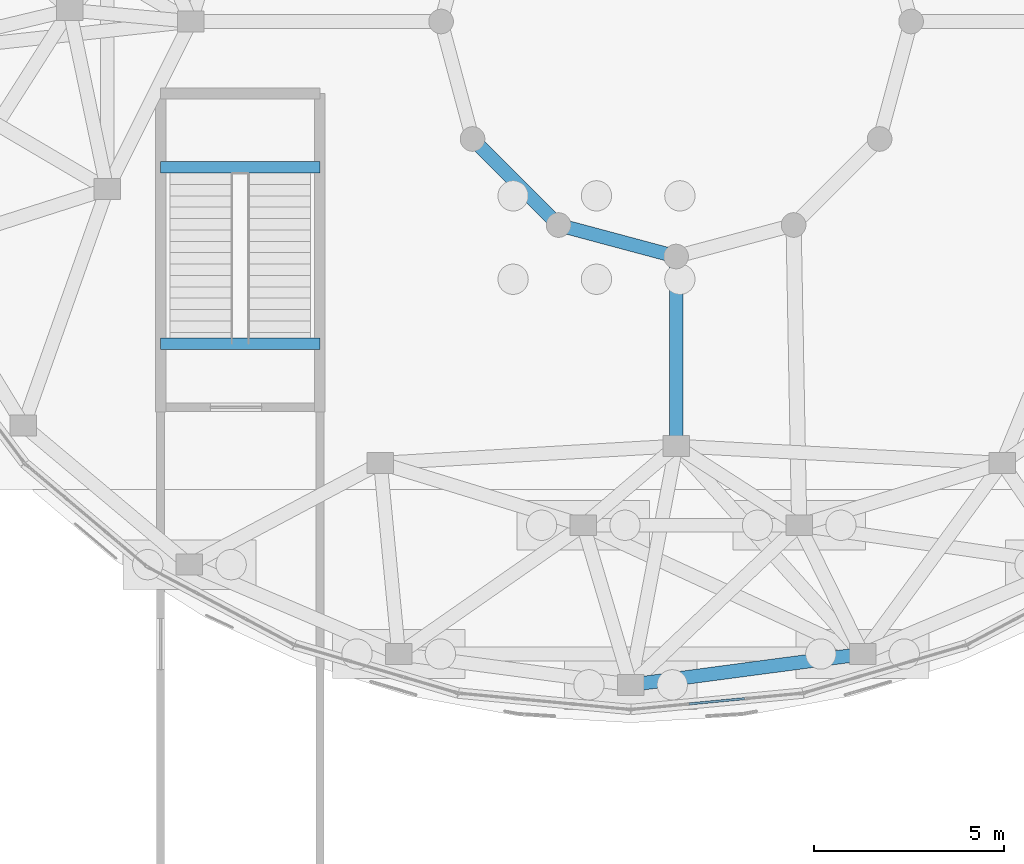
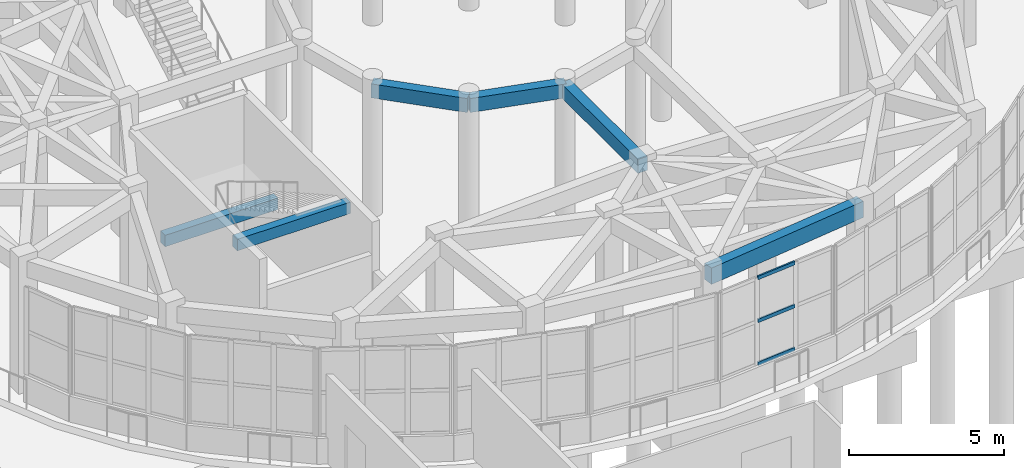
# One storey, part 10 of 96: 6 beams, 3 members, 1 element without a shape of its own.
"""IFC4 building model written with IfcOpenShell, lengths in metres."""

from ifc_helpers import new_model, si_unit, direction, frame, origin, origin_2d, place, context, subcontext, project, spatial, rectangle, hollow_rectangle, extrude, material, layer, layer_set, material_profile, profile_set, type_object, element, aggregate, save


model = new_model("IFC4")

# Units and contexts
model_context = context("Model", 3, precision=1e-05, world=origin(), true_north=direction((0.0, 1.0)))
body_context = subcontext(model_context, "Body", "Model", "MODEL_VIEW")
ifc_project = project(units=[si_unit("LENGTHUNIT", "METRE"), si_unit("AREAUNIT", "SQUARE_METRE"), si_unit("VOLUMEUNIT", "CUBIC_METRE"), si_unit("PLANEANGLEUNIT", "RADIAN"), si_unit("MASSUNIT", "GRAM", prefix="KILO")], contexts=[model_context])

# Site, building, storey
site_placement = place(None, origin())
site = spatial("IfcSite", under=ifc_project, at=site_placement, CompositionType="ELEMENT")
building_placement = place(site_placement, origin())
building = spatial("IfcBuilding", under=site, at=building_placement, Name="Pelvatis Terrace Science Centre", CompositionType="ELEMENT")
storey_placement = place(building_placement, origin())
storey = spatial("IfcBuildingStorey", under=building, at=storey_placement, Name="L00", CompositionType="ELEMENT", Elevation=0.0)

# Beams
ifc_material_1 = material(Name="Concrete C35/45", Category="concrete")
ifc_material_profile_1 = material_profile(ifc_material_1, rectangle(XDim=0.300048828125, YDim=0.449951171875, at=origin_2d()), Name="RC-BM 300x450")
ifc_profile_set_1 = profile_set([ifc_material_profile_1], Name="Concrete C35/45")
beam_type_1 = type_object("IfcBeamType", Name="BM-RC-300x450", PredefinedType="BEAM", material=ifc_profile_set_1)
for number, where, z_axis, x_axis, name in (
    (1, (33.199951171875, 26.60009765625, 4.919921875), (1.0, 0.0, 0.0), (0.0, 1.0, 0.0), "Stair ST-08 header beam (L00)"),
    (2, (33.199951171875, 31.25, 2.260009765625), (1.0, 0.0, 0.0), (0.0, 1.0, 0.0), "Stair ST-08 half-landing beam (L00)"),
):
    element("IfcBeam", number, at=place(storey_placement, frame(where, z_axis=z_axis, x_axis=x_axis)), inside=storey, type_object=beam_type_1, Name=name, PredefinedType="BEAM", context=body_context, shape_type="SweptSolid", body=[
        extrude(rectangle(XDim=0.300048828125, YDim=0.449951171875, at=origin_2d()), origin(), (0.0, 0.0, 1.0), 4.199951171875),
    ])
ifc_material_2 = material(Name="Concrete C35/45", Category="concrete")
ifc_material_profile_2 = material_profile(ifc_material_2, rectangle(XDim=0.360107421875, YDim=0.550048828125, at=origin_2d()), Name="RC-BM 360x550")
ifc_profile_set_2 = profile_set([ifc_material_profile_2], Name="Concrete C35/45")
beam_type_2 = type_object("IfcBeamType", Name="BM-RC-360x550", PredefinedType="BEAM", material=ifc_profile_set_2)
beam_1_placement = place(storey_placement, frame((41.4306640625, 32.0, 4.864990234375), z_axis=(0.707106781187, -0.707106781187, 0.0), x_axis=(0.707106781187, 0.707106781187, 0.0)))
element("IfcBeam", 3, at=beam_1_placement, inside=storey, type_object=beam_type_2, Name="Beam BM-L00-2230", PredefinedType="BEAM", context=body_context, shape_type="SweptSolid", body=[
    extrude(rectangle(XDim=0.360107421875, YDim=0.550048828125, at=origin_2d()), origin(), (0.0, 0.0, 1.0), 3.209228515625),
])
beam_2_placement = place(storey_placement, frame((43.699951171875, 29.730712890625, 4.864990234375), z_axis=(0.965914773555, -0.258860290944, 0.0), x_axis=(0.258860290944, 0.965914773555, 0.0)))
element("IfcBeam", 4, at=beam_2_placement, inside=storey, type_object=beam_type_2, Name="Beam BM-L00-2231", PredefinedType="BEAM", context=body_context, shape_type="SweptSolid", body=[
    extrude(rectangle(XDim=0.360107421875, YDim=0.550048828125, at=origin_2d()), origin(), (0.0, 0.0, 1.0), 3.20947265625),
])
beam_3_placement = place(storey_placement, frame((46.800048828125, 28.89990234375, 4.864990234375), z_axis=(0.0, -1.0, 0.0), x_axis=(1.0, 0.0, 0.0)))
element("IfcBeam", 5, at=beam_3_placement, inside=storey, type_object=beam_type_2, Name="Beam BM-L00-2233", PredefinedType="BEAM", context=body_context, shape_type="SweptSolid", body=[
    extrude(rectangle(XDim=0.360107421875, YDim=0.550048828125, at=origin_2d()), origin(), (0.0, 0.0, 1.0), 5.0),
])

# Curtain wall, members
ifc_material_3 = material(Name="Bronze-anodised aluminium and laminated glass", Category="aluminium")
ifc_layer = layer(ifc_material_3, 0.179931640625)
ifc_layer_set = layer_set([ifc_layer], Name="Bronze-anodised aluminium and laminated glass")
curtain_wall_type = type_object("IfcCurtainWallType", Name="CW-RIBBON-A", PredefinedType="NOTDEFINED", material=ifc_layer_set)
curtain_wall_placement = place(storey_placement, origin())
curtain_wall = element("IfcCurtainWall", 6, at=curtain_wall_placement, inside=storey, type_object=curtain_wall_type, Name="Ribbon curtain wall CW-015 (L00)", PredefinedType="NOTDEFINED")
ifc_material_4 = material(Name="Bronze-anodised aluminium 6063-T6", Category="aluminium")
ifc_material_profile_3 = material_profile(ifc_material_4, hollow_rectangle(XDim=0.06005859375, YDim=0.139892578125, WallThickness=0.00390625, at=origin_2d()), Name="ALU-TRN 60x140")
ifc_profile_set_3 = profile_set([ifc_material_profile_3], Name="Bronze-anodised aluminium 6063-T6")
member_type = type_object("IfcMemberType", Name="CWT-60x140", PredefinedType="USERDEFINED", material=ifc_profile_set_3)
member_1_placement = place(storey_placement, frame((47.146728515625, 17.096923828125, 1.050048828125), z_axis=(0.995501468141, 0.094746118282, 0.0), x_axis=(-0.094746118282, 0.995501468141, 0.0)))
member_1 = element("IfcMember", 7, at=member_1_placement, type_object=member_type, Name="CW-015 transom 2.1", ObjectType="TRANSOM", PredefinedType="USERDEFINED", context=body_context, shape_type="SweptSolid", body=[
    extrude(hollow_rectangle(XDim=0.06005859375, YDim=0.139892578125, WallThickness=0.00390625, at=origin_2d()), origin(), (0.0, 0.0, 1.0), 1.463623046875),
])
member_2_placement = place(storey_placement, frame((47.146728515625, 17.096923828125, 2.739990234375), z_axis=(0.995501468141, 0.094746118282, 0.0), x_axis=(-0.094746118282, 0.995501468141, 0.0)))
member_2 = element("IfcMember", 8, at=member_2_placement, type_object=member_type, Name="CW-015 transom 2.2", ObjectType="TRANSOM", PredefinedType="USERDEFINED", context=body_context, shape_type="SweptSolid", body=[
    extrude(hollow_rectangle(XDim=0.06005859375, YDim=0.139892578125, WallThickness=0.00390625, at=origin_2d()), origin(), (0.0, 0.0, 1.0), 1.463623046875),
])
member_3_placement = place(storey_placement, frame((47.146728515625, 17.096923828125, 4.429931640625), z_axis=(0.995501468141, 0.094746118282, 0.0), x_axis=(-0.094746118282, 0.995501468141, 0.0)))
member_3 = element("IfcMember", 9, at=member_3_placement, type_object=member_type, Name="CW-015 transom 2.3", ObjectType="TRANSOM", PredefinedType="USERDEFINED", context=body_context, shape_type="SweptSolid", body=[
    extrude(hollow_rectangle(XDim=0.06005859375, YDim=0.139892578125, WallThickness=0.00390625, at=origin_2d()), origin(), (0.0, 0.0, 1.0), 1.463623046875),
])
aggregate(curtain_wall, [member_1, member_2, member_3])

# Beam
ifc_material_5 = material(Name="Concrete C35/45", Category="concrete")
ifc_material_profile_4 = material_profile(ifc_material_5, rectangle(XDim=0.360107421875, YDim=0.639892578125, at=origin_2d()), Name="RC-SPN 360x640")
ifc_profile_set_4 = profile_set([ifc_material_profile_4], Name="Concrete C35/45")
beam_type_3 = type_object("IfcBeamType", Name="SPN-RC-360x640", PredefinedType="SPANDREL", material=ifc_profile_set_4)
beam_4_placement = place(storey_placement, frame((45.60009765625, 17.60009765625, 4.820068359375), z_axis=(0.991297545812, 0.131640326901, 0.0), x_axis=(-0.131640326901, 0.991297545812, 0.0)))
element("IfcBeam", 10, at=beam_4_placement, inside=storey, type_object=beam_type_3, Name="Spandrel SP-L00-2383", PredefinedType="SPANDREL", context=body_context, shape_type="SweptSolid", body=[
    extrude(rectangle(XDim=0.360107421875, YDim=0.639892578125, at=origin_2d()), origin(), (0.0, 0.0, 1.0), 6.172119140625),
])

save(model, "model.ifc")
